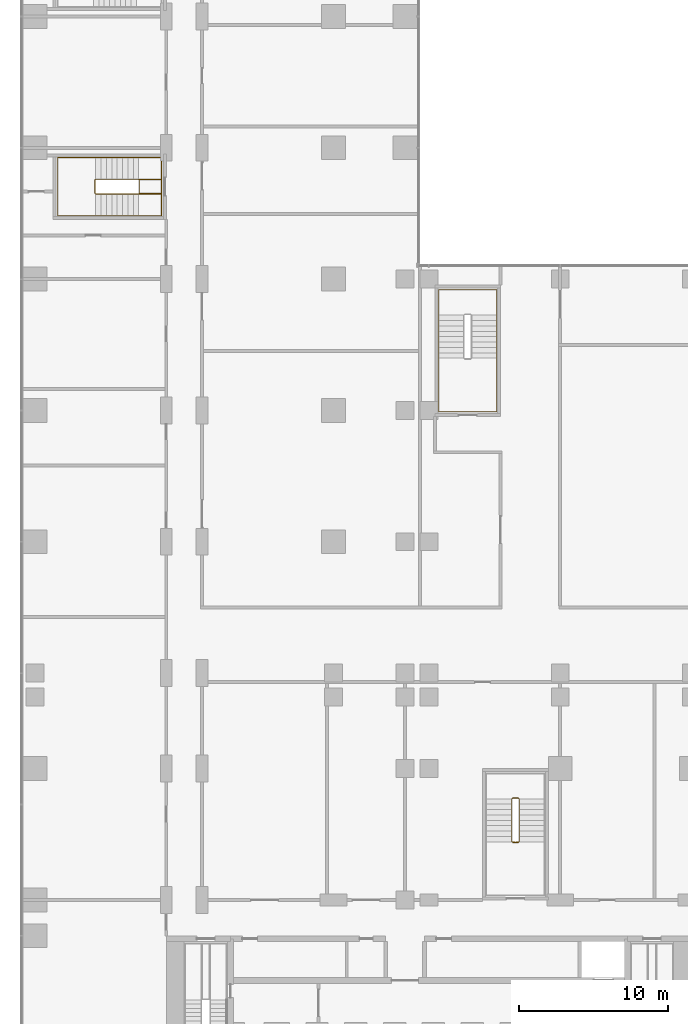
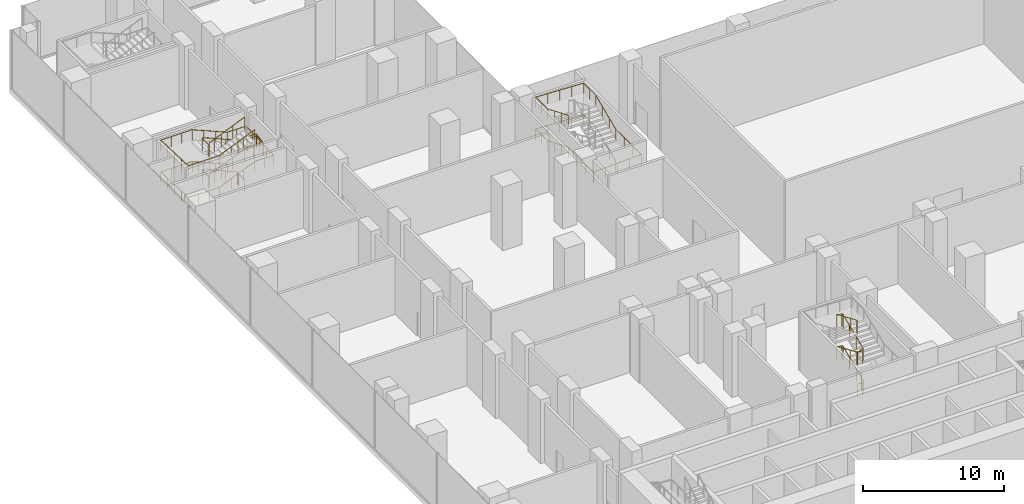
# One storey, part 27 of 30: 4 railings.
"""IFC4 building model written with IfcOpenShell, lengths in metres."""

from ifc_helpers import new_model, si_unit, direction, frame, origin, origin_2d, place, context, subcontext, project, spatial, circle, extrude, material, type_object, element, save


model = new_model("IFC4")

# Units and contexts
model_context = context("Model", 3, precision=1e-05, world=origin(), true_north=direction((0.0, 1.0)))
body_context = subcontext(model_context, "Body", "Model", "MODEL_VIEW")
ifc_project = project(units=[si_unit("LENGTHUNIT", "METRE"), si_unit("AREAUNIT", "SQUARE_METRE"), si_unit("VOLUMEUNIT", "CUBIC_METRE"), si_unit("PLANEANGLEUNIT", "RADIAN"), si_unit("MASSUNIT", "GRAM", prefix="KILO")], contexts=[model_context])

# Site, building, storey
site_placement = place(None, origin())
site = spatial("IfcSite", under=ifc_project, at=site_placement, CompositionType="ELEMENT")
building_placement = place(site_placement, origin())
building = spatial("IfcBuilding", under=site, at=building_placement, Name="Kemantara Hotel Tower", CompositionType="ELEMENT")
storey_placement = place(building_placement, frame((0.0, 0.0, 18.0)))
storey = spatial("IfcBuildingStorey", under=building, at=storey_placement, Name="L03", CompositionType="ELEMENT", Elevation=18.0)

# Railings
ifc_material = material(Name="Stainless steel balustrade", Category="steel")
railing_type_1 = type_object("IfcRailingType", Name="Stair guard 1100 mm", PredefinedType="GUARDRAIL", material=ifc_material)
railing_1_placement = place(storey_placement, frame((7.949951171875, 59.5, 5.5)))
element("IfcRailing", 1, at=railing_1_placement, inside=storey, type_object=railing_type_1, Name="L03 ST4 stair guard 1", PredefinedType="GUARDRAIL", context=body_context, shape_type="SweptSolid", body=[
    extrude(circle(Radius=0.02392578125, at=origin_2d()), frame((0.0, 0.0, 1.076171875), z_axis=(-0.920535863683, 0.0, -0.390658064903), x_axis=(0.0, -1.0, 0.0)), (0.0, 0.0, 1.0), 3.12841796875),
    extrude(circle(Radius=0.02392578125, at=origin_2d()), frame((-2.8798828125, 0.0, -0.14599609375), z_axis=(-0.297155754911, 0.297155754911, -0.90741220768), x_axis=(-0.707106781187, -0.707106781187, 0.0)), (0.0, 0.0, 1.0), 0.16845703125),
    extrude(circle(Radius=0.02392578125, at=origin_2d()), frame((-2.929931640625, 0.050048828125, -0.298828125), z_axis=(0.0, 1.0, 0.0), x_axis=(-1.0, 0.0, 0.0)), (0.0, 0.0, 1.0), 0.89990234375),
    extrude(circle(Radius=0.02392578125, at=origin_2d()), frame((-2.929931640625, 0.949951171875, -0.298828125), z_axis=(0.707106781187, 0.707106781187, 0.0), x_axis=(-0.707106781187, 0.707106781187, 0.0)), (0.0, 0.0, 1.0), 0.07080078125),
    extrude(circle(Radius=0.02392578125, at=origin_2d()), frame((-2.8798828125, 1.0, -0.298828125), z_axis=(0.920535863683, 0.0, -0.390658064903), x_axis=(0.0, 1.0, 0.0)), (0.0, 0.0, 1.0), 3.12841796875),
    extrude(circle(Radius=0.02392578125, at=origin_2d()), frame((0.0, 1.0, -1.52099609375), z_axis=(1.0, 0.0, 0.0), x_axis=(0.0, 1.0, 0.0)), (0.0, 0.0, 1.0), 1.530029296875),
    extrude(circle(Radius=0.02392578125, at=origin_2d()), frame((1.530029296875, 1.0, -1.52099609375), z_axis=(0.0, -0.98730409242, -0.158841521936), x_axis=(1.0, 0.0, 0.0)), (0.0, 0.0, 1.0), 0.962158203125),
    extrude(circle(Radius=0.02392578125, at=origin_2d()), frame((1.530029296875, 0.050048828125, -1.673828125), z_axis=(-1.0, 0.0, 0.0), x_axis=(0.0, -1.0, 0.0)), (0.0, 0.0, 1.0), 1.47998046875),
    extrude(circle(Radius=0.02392578125, at=origin_2d()), frame((0.050048828125, 0.050048828125, -1.673828125), z_axis=(0.0, 1.0, 0.0), x_axis=(-1.0, 0.0, 0.0)), (0.0, 0.0, 1.0), 0.89990234375),
    extrude(circle(Radius=0.02392578125, at=origin_2d()), frame((0.050048828125, 0.949951171875, -1.673828125), z_axis=(1.0, 0.0, 0.0), x_axis=(0.0, 1.0, 0.0)), (0.0, 0.0, 1.0), 1.47998046875),
    extrude(circle(Radius=0.02392578125, at=origin_2d()), frame((1.530029296875, 0.949951171875, -1.673828125), z_axis=(0.0, -1.0, 0.0), x_axis=(1.0, 0.0, 0.0)), (0.0, 0.0, 1.0), 0.949951171875),
    extrude(circle(Radius=0.02392578125, at=origin_2d()), frame((1.530029296875, 0.0, -1.673828125), z_axis=(-1.0, 0.0, 0.0), x_axis=(0.0, -1.0, 0.0)), (0.0, 0.0, 1.0), 1.530029296875),
    extrude(circle(Radius=0.02392578125, at=origin_2d()), frame((0.0, 0.0, -1.673828125), z_axis=(-0.920535863683, 0.0, -0.390658064903), x_axis=(0.0, -1.0, 0.0)), (0.0, 0.0, 1.0), 3.12841796875),
    extrude(circle(Radius=0.02392578125, at=origin_2d()), frame((-2.8798828125, 0.0, -2.89599609375), z_axis=(-0.297155754911, 0.297155754911, -0.90741220768), x_axis=(-0.707106781187, -0.707106781187, 0.0)), (0.0, 0.0, 1.0), 0.16845703125),
    extrude(circle(Radius=0.02392578125, at=origin_2d()), frame((-2.929931640625, 0.050048828125, -3.048828125), z_axis=(0.0, 1.0, 0.0), x_axis=(-1.0, 0.0, 0.0)), (0.0, 0.0, 1.0), 0.89990234375),
    extrude(circle(Radius=0.02392578125, at=origin_2d()), frame((-2.929931640625, 0.949951171875, -3.048828125), z_axis=(0.707106781187, 0.707106781187, 0.0), x_axis=(-0.707106781187, 0.707106781187, 0.0)), (0.0, 0.0, 1.0), 0.07080078125),
    extrude(circle(Radius=0.02392578125, at=origin_2d()), frame((-2.8798828125, 1.0, -3.048828125), z_axis=(0.920535863683, 0.0, -0.390658064903), x_axis=(0.0, 1.0, 0.0)), (0.0, 0.0, 1.0), 3.12841796875),
    extrude(circle(Radius=0.02392578125, at=origin_2d()), frame((0.0, 1.0, -4.27099609375), z_axis=(0.297155754911, -0.297155754911, -0.90741220768), x_axis=(0.707106781187, 0.707106781187, 0.0)), (0.0, 0.0, 1.0), 0.16845703125),
    extrude(circle(Radius=0.02392578125, at=origin_2d()), frame((0.050048828125, 0.949951171875, -4.423828125), z_axis=(0.0, -1.0, 0.0), x_axis=(1.0, 0.0, 0.0)), (0.0, 0.0, 1.0), 0.89990234375),
    extrude(circle(Radius=0.02099609375, at=origin_2d()), origin(), (0.0, 0.0, 1.0), 1.052001953125),
    extrude(circle(Radius=0.02099609375, at=origin_2d()), frame((-0.9599609375, 0.0, -0.407470703125)), (0.0, 0.0, 1.0), 1.052001953125),
    extrude(circle(Radius=0.02099609375, at=origin_2d()), frame((-1.919921875, 0.0, -0.814697265625)), (0.0, 0.0, 1.0), 1.052001953125),
    extrude(circle(Radius=0.02099609375, at=origin_2d()), frame((-2.8798828125, 0.0, -1.22216796875)), (0.0, 0.0, 1.0), 1.052001953125),
    extrude(circle(Radius=0.02099609375, at=origin_2d()), frame((-2.929931640625, 0.050048828125, -1.375)), (0.0, 0.0, 1.0), 1.052001953125),
    extrude(circle(Radius=0.02099609375, at=origin_2d()), frame((-2.929931640625, 0.949951171875, -1.375)), (0.0, 0.0, 1.0), 1.052001953125),
    extrude(circle(Radius=0.02099609375, at=origin_2d()), frame((-2.8798828125, 1.0, -1.375)), (0.0, 0.0, 1.0), 1.052001953125),
    extrude(circle(Radius=0.02099609375, at=origin_2d()), frame((-1.919921875, 1.0, -1.782470703125)), (0.0, 0.0, 1.0), 1.052001953125),
    extrude(circle(Radius=0.02099609375, at=origin_2d()), frame((-0.9599609375, 1.0, -2.189697265625)), (0.0, 0.0, 1.0), 1.052001953125),
    extrude(circle(Radius=0.02099609375, at=origin_2d()), frame((0.0, 1.0, -2.59716796875)), (0.0, 0.0, 1.0), 1.052001953125),
    extrude(circle(Radius=0.02099609375, at=origin_2d()), frame((0.76513671875, 1.0, -2.59716796875)), (0.0, 0.0, 1.0), 1.052001953125),
    extrude(circle(Radius=0.02099609375, at=origin_2d()), frame((1.530029296875, 1.0, -2.59716796875)), (0.0, 0.0, 1.0), 1.052001953125),
    extrude(circle(Radius=0.02099609375, at=origin_2d()), frame((1.530029296875, 0.050048828125, -2.75)), (0.0, 0.0, 1.0), 1.052001953125),
    extrude(circle(Radius=0.02099609375, at=origin_2d()), frame((0.7900390625, 0.050048828125, -2.75)), (0.0, 0.0, 1.0), 1.052001953125),
    extrude(circle(Radius=0.02099609375, at=origin_2d()), frame((0.050048828125, 0.050048828125, -2.75)), (0.0, 0.0, 1.0), 1.052001953125),
    extrude(circle(Radius=0.02099609375, at=origin_2d()), frame((0.050048828125, 0.949951171875, -2.75)), (0.0, 0.0, 1.0), 1.052001953125),
    extrude(circle(Radius=0.02099609375, at=origin_2d()), frame((0.7900390625, 0.949951171875, -2.75)), (0.0, 0.0, 1.0), 1.052001953125),
    extrude(circle(Radius=0.02099609375, at=origin_2d()), frame((1.530029296875, 0.949951171875, -2.75)), (0.0, 0.0, 1.0), 1.052001953125),
    extrude(circle(Radius=0.02099609375, at=origin_2d()), frame((1.530029296875, 0.0, -2.75)), (0.0, 0.0, 1.0), 1.052001953125),
    extrude(circle(Radius=0.02099609375, at=origin_2d()), frame((0.76513671875, 0.0, -2.75)), (0.0, 0.0, 1.0), 1.052001953125),
    extrude(circle(Radius=0.02099609375, at=origin_2d()), frame((0.0, 0.0, -2.75)), (0.0, 0.0, 1.0), 1.052001953125),
    extrude(circle(Radius=0.02099609375, at=origin_2d()), frame((-0.9599609375, 0.0, -3.157470703125)), (0.0, 0.0, 1.0), 1.052001953125),
    extrude(circle(Radius=0.02099609375, at=origin_2d()), frame((-1.919921875, 0.0, -3.564697265625)), (0.0, 0.0, 1.0), 1.052001953125),
    extrude(circle(Radius=0.02099609375, at=origin_2d()), frame((-2.8798828125, 0.0, -3.97216796875)), (0.0, 0.0, 1.0), 1.052001953125),
    extrude(circle(Radius=0.02099609375, at=origin_2d()), frame((-2.929931640625, 0.050048828125, -4.125)), (0.0, 0.0, 1.0), 1.052001953125),
    extrude(circle(Radius=0.02099609375, at=origin_2d()), frame((-2.929931640625, 0.949951171875, -4.125)), (0.0, 0.0, 1.0), 1.052001953125),
    extrude(circle(Radius=0.02099609375, at=origin_2d()), frame((-2.8798828125, 1.0, -4.125)), (0.0, 0.0, 1.0), 1.052001953125),
    extrude(circle(Radius=0.02099609375, at=origin_2d()), frame((-1.919921875, 1.0, -4.532470703125)), (0.0, 0.0, 1.0), 1.052001953125),
    extrude(circle(Radius=0.02099609375, at=origin_2d()), frame((-0.9599609375, 1.0, -4.939697265625)), (0.0, 0.0, 1.0), 1.052001953125),
    extrude(circle(Radius=0.02099609375, at=origin_2d()), frame((0.0, 1.0, -5.34716796875)), (0.0, 0.0, 1.0), 1.052001953125),
    extrude(circle(Radius=0.02099609375, at=origin_2d()), frame((0.050048828125, 0.949951171875, -5.5)), (0.0, 0.0, 1.0), 1.052001953125),
    extrude(circle(Radius=0.02099609375, at=origin_2d()), frame((0.050048828125, 0.050048828125, -5.5)), (0.0, 0.0, 1.0), 1.052001953125),
])
railing_2_placement = place(storey_placement, frame((32.949951171875, 16.10009765625, 5.5)))
element("IfcRailing", 2, at=railing_2_placement, inside=storey, type_object=railing_type_1, Name="L03 PS3 stair guard 1", PredefinedType="GUARDRAIL", context=body_context, shape_type="SweptSolid", body=[
    extrude(circle(Radius=0.02392578125, at=origin_2d()), frame((0.0, 0.0, 1.076171875), z_axis=(0.0, 0.920535863683, -0.390658064903), x_axis=(-1.0, 0.0, 0.0)), (0.0, 0.0, 1.0), 3.12841796875),
    extrude(circle(Radius=0.02392578125, at=origin_2d()), frame((0.0, 2.8798828125, -0.14599609375), z_axis=(0.297155754911, 0.297155754911, -0.90741220768), x_axis=(-0.707106781187, 0.707106781187, 0.0)), (0.0, 0.0, 1.0), 0.16845703125),
    extrude(circle(Radius=0.02392578125, at=origin_2d()), frame((0.050048828125, 2.929931640625, -0.298828125), z_axis=(1.0, 0.0, 0.0), x_axis=(0.0, 1.0, 0.0)), (0.0, 0.0, 1.0), 0.39990234375),
    extrude(circle(Radius=0.02392578125, at=origin_2d()), frame((0.449951171875, 2.929931640625, -0.298828125), z_axis=(0.707106781187, -0.707106781187, 0.0), x_axis=(0.707106781187, 0.707106781187, 0.0)), (0.0, 0.0, 1.0), 0.07080078125),
    extrude(circle(Radius=0.02392578125, at=origin_2d()), frame((0.5, 2.8798828125, -0.298828125), z_axis=(0.0, -0.920535863683, -0.390658064903), x_axis=(1.0, 0.0, 0.0)), (0.0, 0.0, 1.0), 3.12841796875),
    extrude(circle(Radius=0.02392578125, at=origin_2d()), frame((0.5, 0.0, -1.52099609375), z_axis=(-0.941661397821, -0.104742586301, -0.319848092803), x_axis=(0.110549901152, -0.993870574751, 0.0)), (0.0, 0.0, 1.0), 0.477783203125),
    extrude(circle(Radius=0.02392578125, at=origin_2d()), frame((0.050048828125, -0.050048828125, -1.673828125), z_axis=(1.0, 0.0, 0.0), x_axis=(0.0, 1.0, 0.0)), (0.0, 0.0, 1.0), 0.39990234375),
    extrude(circle(Radius=0.02392578125, at=origin_2d()), frame((0.449951171875, -0.050048828125, -1.673828125), z_axis=(-0.993870574751, 0.110549901152, 0.0), x_axis=(-0.110549901152, -0.993870574751, 0.0)), (0.0, 0.0, 1.0), 0.45263671875),
    extrude(circle(Radius=0.02392578125, at=origin_2d()), frame((0.0, 0.0, -1.673828125), z_axis=(0.0, 0.920535863683, -0.390658064903), x_axis=(-1.0, 0.0, 0.0)), (0.0, 0.0, 1.0), 3.12841796875),
    extrude(circle(Radius=0.02392578125, at=origin_2d()), frame((0.0, 2.8798828125, -2.89599609375), z_axis=(0.297155754911, 0.297155754911, -0.90741220768), x_axis=(-0.707106781187, 0.707106781187, 0.0)), (0.0, 0.0, 1.0), 0.16845703125),
    extrude(circle(Radius=0.02392578125, at=origin_2d()), frame((0.050048828125, 2.929931640625, -3.048828125), z_axis=(1.0, 0.0, 0.0), x_axis=(0.0, 1.0, 0.0)), (0.0, 0.0, 1.0), 0.39990234375),
    extrude(circle(Radius=0.02392578125, at=origin_2d()), frame((0.449951171875, 2.929931640625, -3.048828125), z_axis=(0.707106781187, -0.707106781187, 0.0), x_axis=(0.707106781187, 0.707106781187, 0.0)), (0.0, 0.0, 1.0), 0.07080078125),
    extrude(circle(Radius=0.02392578125, at=origin_2d()), frame((0.5, 2.8798828125, -3.048828125), z_axis=(0.0, -0.920535863683, -0.390658064903), x_axis=(1.0, 0.0, 0.0)), (0.0, 0.0, 1.0), 3.12841796875),
    extrude(circle(Radius=0.02392578125, at=origin_2d()), frame((0.5, 0.0, -4.27099609375), z_axis=(-0.297155754911, -0.297155754911, -0.90741220768), x_axis=(0.707106781187, -0.707106781187, 0.0)), (0.0, 0.0, 1.0), 0.16845703125),
    extrude(circle(Radius=0.02392578125, at=origin_2d()), frame((0.449951171875, -0.050048828125, -4.423828125), z_axis=(-1.0, 0.0, 0.0), x_axis=(0.0, -1.0, 0.0)), (0.0, 0.0, 1.0), 0.39990234375),
    extrude(circle(Radius=0.02099609375, at=origin_2d()), origin(), (0.0, 0.0, 1.0), 1.052001953125),
    extrude(circle(Radius=0.02099609375, at=origin_2d()), frame((0.0, 0.9599609375, -0.407470703125)), (0.0, 0.0, 1.0), 1.052001953125),
    extrude(circle(Radius=0.02099609375, at=origin_2d()), frame((0.0, 1.919921875, -0.814697265625)), (0.0, 0.0, 1.0), 1.052001953125),
    extrude(circle(Radius=0.02099609375, at=origin_2d()), frame((0.0, 2.8798828125, -1.22216796875)), (0.0, 0.0, 1.0), 1.052001953125),
    extrude(circle(Radius=0.02099609375, at=origin_2d()), frame((0.050048828125, 2.929931640625, -1.375)), (0.0, 0.0, 1.0), 1.052001953125),
    extrude(circle(Radius=0.02099609375, at=origin_2d()), frame((0.449951171875, 2.929931640625, -1.375)), (0.0, 0.0, 1.0), 1.052001953125),
    extrude(circle(Radius=0.02099609375, at=origin_2d()), frame((0.5, 2.8798828125, -1.375)), (0.0, 0.0, 1.0), 1.052001953125),
    extrude(circle(Radius=0.02099609375, at=origin_2d()), frame((0.5, 1.919921875, -1.782470703125)), (0.0, 0.0, 1.0), 1.052001953125),
    extrude(circle(Radius=0.02099609375, at=origin_2d()), frame((0.5, 0.9599609375, -2.189697265625)), (0.0, 0.0, 1.0), 1.052001953125),
    extrude(circle(Radius=0.02099609375, at=origin_2d()), frame((0.5, 0.0, -2.59716796875)), (0.0, 0.0, 1.0), 1.052001953125),
    extrude(circle(Radius=0.02099609375, at=origin_2d()), frame((0.050048828125, -0.050048828125, -2.75)), (0.0, 0.0, 1.0), 1.052001953125),
    extrude(circle(Radius=0.02099609375, at=origin_2d()), frame((0.449951171875, -0.050048828125, -2.75)), (0.0, 0.0, 1.0), 1.052001953125),
    extrude(circle(Radius=0.02099609375, at=origin_2d()), frame((0.0, 0.0, -2.75)), (0.0, 0.0, 1.0), 1.052001953125),
    extrude(circle(Radius=0.02099609375, at=origin_2d()), frame((0.0, 0.9599609375, -3.157470703125)), (0.0, 0.0, 1.0), 1.052001953125),
    extrude(circle(Radius=0.02099609375, at=origin_2d()), frame((0.0, 1.919921875, -3.564697265625)), (0.0, 0.0, 1.0), 1.052001953125),
    extrude(circle(Radius=0.02099609375, at=origin_2d()), frame((0.0, 2.8798828125, -3.97216796875)), (0.0, 0.0, 1.0), 1.052001953125),
    extrude(circle(Radius=0.02099609375, at=origin_2d()), frame((0.050048828125, 2.929931640625, -4.125)), (0.0, 0.0, 1.0), 1.052001953125),
    extrude(circle(Radius=0.02099609375, at=origin_2d()), frame((0.449951171875, 2.929931640625, -4.125)), (0.0, 0.0, 1.0), 1.052001953125),
    extrude(circle(Radius=0.02099609375, at=origin_2d()), frame((0.5, 2.8798828125, -4.125)), (0.0, 0.0, 1.0), 1.052001953125),
    extrude(circle(Radius=0.02099609375, at=origin_2d()), frame((0.5, 1.919921875, -4.532470703125)), (0.0, 0.0, 1.0), 1.052001953125),
    extrude(circle(Radius=0.02099609375, at=origin_2d()), frame((0.5, 0.9599609375, -4.939697265625)), (0.0, 0.0, 1.0), 1.052001953125),
    extrude(circle(Radius=0.02099609375, at=origin_2d()), frame((0.5, 0.0, -5.34716796875)), (0.0, 0.0, 1.0), 1.052001953125),
    extrude(circle(Radius=0.02099609375, at=origin_2d()), frame((0.449951171875, -0.050048828125, -5.5)), (0.0, 0.0, 1.0), 1.052001953125),
    extrude(circle(Radius=0.02099609375, at=origin_2d()), frame((0.050048828125, -0.050048828125, -5.5)), (0.0, 0.0, 1.0), 1.052001953125),
])
railing_type_2 = type_object("IfcRailingType", Name="Stair handrail 900 mm", PredefinedType="HANDRAIL", material=ifc_material)
railing_3_placement = place(storey_placement, frame((7.949951171875, 61.949951171875, 0.15283203125)))
element("IfcRailing", 3, at=railing_3_placement, inside=storey, type_object=railing_type_2, Name="L03 ST4 stair handrail 1", PredefinedType="HANDRAIL", context=body_context, shape_type="SweptSolid", body=[
    extrude(circle(Radius=0.02392578125, at=origin_2d()), frame((0.0, 0.0, 0.8759765625), z_axis=(-0.920535863683, 0.0, 0.390658064903), x_axis=(0.0, -1.0, 0.0)), (0.0, 0.0, 1.0), 3.12841796875),
    extrude(circle(Radius=0.02392578125, at=origin_2d()), frame((-2.8798828125, 0.0, 2.09814453125), z_axis=(-1.0, 0.0, 0.0), x_axis=(0.0, -1.0, 0.0)), (0.0, 0.0, 1.0), 2.550048828125),
    extrude(circle(Radius=0.02392578125, at=origin_2d()), frame((-5.429931640625, 0.0, 2.09814453125), z_axis=(0.0, -0.999233006938, 0.039158624161), x_axis=(1.0, 0.0, 0.0)), (0.0, 0.0, 1.0), 3.90283203125),
    extrude(circle(Radius=0.02392578125, at=origin_2d()), frame((-5.429931640625, -3.89990234375, 2.2509765625), z_axis=(1.0, 0.0, 0.0), x_axis=(0.0, 1.0, 0.0)), (0.0, 0.0, 1.0), 2.550048828125),
    extrude(circle(Radius=0.02392578125, at=origin_2d()), frame((-2.8798828125, -3.89990234375, 2.2509765625), z_axis=(0.920535863683, 0.0, 0.390658064903), x_axis=(0.0, 1.0, 0.0)), (0.0, 0.0, 1.0), 3.12841796875),
    extrude(circle(Radius=0.02392578125, at=origin_2d()), frame((0.0, -3.89990234375, 3.47314453125), z_axis=(1.0, 0.0, 0.0), x_axis=(0.0, 1.0, 0.0)), (0.0, 0.0, 1.0), 1.530029296875),
    extrude(circle(Radius=0.02392578125, at=origin_2d()), frame((1.530029296875, -3.89990234375, 3.47314453125), z_axis=(0.0, 0.999233006938, 0.039158624161), x_axis=(-1.0, 0.0, 0.0)), (0.0, 0.0, 1.0), 3.90283203125),
    extrude(circle(Radius=0.02392578125, at=origin_2d()), frame((1.530029296875, 0.0, 3.6259765625), z_axis=(-1.0, 0.0, 0.0), x_axis=(0.0, -1.0, 0.0)), (0.0, 0.0, 1.0), 1.530029296875),
    extrude(circle(Radius=0.02392578125, at=origin_2d()), frame((0.0, 0.0, 3.6259765625), z_axis=(-0.920535863683, 0.0, 0.390658064903), x_axis=(0.0, -1.0, 0.0)), (0.0, 0.0, 1.0), 3.12841796875),
    extrude(circle(Radius=0.02392578125, at=origin_2d()), frame((-2.8798828125, 0.0, 4.84814453125), z_axis=(-1.0, 0.0, 0.0), x_axis=(0.0, -1.0, 0.0)), (0.0, 0.0, 1.0), 2.550048828125),
    extrude(circle(Radius=0.02392578125, at=origin_2d()), frame((-5.429931640625, 0.0, 4.84814453125), z_axis=(0.0, -0.999233006938, 0.039158624161), x_axis=(1.0, 0.0, 0.0)), (0.0, 0.0, 1.0), 3.90283203125),
    extrude(circle(Radius=0.02392578125, at=origin_2d()), frame((-5.429931640625, -3.89990234375, 5.0009765625), z_axis=(1.0, 0.0, 0.0), x_axis=(0.0, 1.0, 0.0)), (0.0, 0.0, 1.0), 2.550048828125),
    extrude(circle(Radius=0.02392578125, at=origin_2d()), frame((-2.8798828125, -3.89990234375, 5.0009765625), z_axis=(0.920535863683, 0.0, 0.390658064903), x_axis=(0.0, 1.0, 0.0)), (0.0, 0.0, 1.0), 3.12841796875),
    extrude(circle(Radius=0.02099609375, at=origin_2d()), origin(), (0.0, 0.0, 1.0), 0.851806640625),
    extrude(circle(Radius=0.02099609375, at=origin_2d()), frame((-0.9599609375, 0.0, 0.407470703125)), (0.0, 0.0, 1.0), 0.851806640625),
    extrude(circle(Radius=0.02099609375, at=origin_2d()), frame((-1.919921875, 0.0, 0.814697265625)), (0.0, 0.0, 1.0), 0.851806640625),
    extrude(circle(Radius=0.02099609375, at=origin_2d()), frame((-2.8798828125, 0.0, 1.22216796875)), (0.0, 0.0, 1.0), 0.851806640625),
    extrude(circle(Radius=0.02099609375, at=origin_2d()), frame((-3.72998046875, 0.0, 1.22216796875)), (0.0, 0.0, 1.0), 0.851806640625),
    extrude(circle(Radius=0.02099609375, at=origin_2d()), frame((-4.579833984375, 0.0, 1.22216796875)), (0.0, 0.0, 1.0), 0.851806640625),
    extrude(circle(Radius=0.02099609375, at=origin_2d()), frame((-5.429931640625, 0.0, 1.22216796875)), (0.0, 0.0, 1.0), 0.851806640625),
    extrude(circle(Radius=0.02099609375, at=origin_2d()), frame((-5.429931640625, -0.97509765625, 1.26025390625)), (0.0, 0.0, 1.0), 0.851806640625),
    extrude(circle(Radius=0.02099609375, at=origin_2d()), frame((-5.429931640625, -1.949951171875, 1.298583984375)), (0.0, 0.0, 1.0), 0.851806640625),
    extrude(circle(Radius=0.02099609375, at=origin_2d()), frame((-5.429931640625, -2.9248046875, 1.3369140625)), (0.0, 0.0, 1.0), 0.851806640625),
    extrude(circle(Radius=0.02099609375, at=origin_2d()), frame((-5.429931640625, -3.89990234375, 1.375)), (0.0, 0.0, 1.0), 0.851806640625),
    extrude(circle(Radius=0.02099609375, at=origin_2d()), frame((-4.579833984375, -3.89990234375, 1.375)), (0.0, 0.0, 1.0), 0.851806640625),
    extrude(circle(Radius=0.02099609375, at=origin_2d()), frame((-3.72998046875, -3.89990234375, 1.375)), (0.0, 0.0, 1.0), 0.851806640625),
    extrude(circle(Radius=0.02099609375, at=origin_2d()), frame((-2.8798828125, -3.89990234375, 1.375)), (0.0, 0.0, 1.0), 0.851806640625),
    extrude(circle(Radius=0.02099609375, at=origin_2d()), frame((-1.919921875, -3.89990234375, 1.782470703125)), (0.0, 0.0, 1.0), 0.851806640625),
    extrude(circle(Radius=0.02099609375, at=origin_2d()), frame((-0.9599609375, -3.89990234375, 2.189697265625)), (0.0, 0.0, 1.0), 0.851806640625),
    extrude(circle(Radius=0.02099609375, at=origin_2d()), frame((0.0, -3.89990234375, 2.59716796875)), (0.0, 0.0, 1.0), 0.851806640625),
    extrude(circle(Radius=0.02099609375, at=origin_2d()), frame((0.76513671875, -3.89990234375, 2.59716796875)), (0.0, 0.0, 1.0), 0.851806640625),
    extrude(circle(Radius=0.02099609375, at=origin_2d()), frame((1.530029296875, -3.89990234375, 2.59716796875)), (0.0, 0.0, 1.0), 0.851806640625),
    extrude(circle(Radius=0.02099609375, at=origin_2d()), frame((1.530029296875, -2.9248046875, 2.63525390625)), (0.0, 0.0, 1.0), 0.851806640625),
    extrude(circle(Radius=0.02099609375, at=origin_2d()), frame((1.530029296875, -1.949951171875, 2.673583984375)), (0.0, 0.0, 1.0), 0.851806640625),
    extrude(circle(Radius=0.02099609375, at=origin_2d()), frame((1.530029296875, -0.97509765625, 2.7119140625)), (0.0, 0.0, 1.0), 0.851806640625),
    extrude(circle(Radius=0.02099609375, at=origin_2d()), frame((1.530029296875, 0.0, 2.75)), (0.0, 0.0, 1.0), 0.851806640625),
    extrude(circle(Radius=0.02099609375, at=origin_2d()), frame((0.76513671875, 0.0, 2.75)), (0.0, 0.0, 1.0), 0.851806640625),
    extrude(circle(Radius=0.02099609375, at=origin_2d()), frame((0.0, 0.0, 2.75)), (0.0, 0.0, 1.0), 0.851806640625),
    extrude(circle(Radius=0.02099609375, at=origin_2d()), frame((-0.9599609375, 0.0, 3.157470703125)), (0.0, 0.0, 1.0), 0.851806640625),
    extrude(circle(Radius=0.02099609375, at=origin_2d()), frame((-1.919921875, 0.0, 3.564697265625)), (0.0, 0.0, 1.0), 0.851806640625),
    extrude(circle(Radius=0.02099609375, at=origin_2d()), frame((-2.8798828125, 0.0, 3.97216796875)), (0.0, 0.0, 1.0), 0.851806640625),
    extrude(circle(Radius=0.02099609375, at=origin_2d()), frame((-3.72998046875, 0.0, 3.97216796875)), (0.0, 0.0, 1.0), 0.851806640625),
    extrude(circle(Radius=0.02099609375, at=origin_2d()), frame((-4.579833984375, 0.0, 3.97216796875)), (0.0, 0.0, 1.0), 0.851806640625),
    extrude(circle(Radius=0.02099609375, at=origin_2d()), frame((-5.429931640625, 0.0, 3.97216796875)), (0.0, 0.0, 1.0), 0.851806640625),
    extrude(circle(Radius=0.02099609375, at=origin_2d()), frame((-5.429931640625, -0.97509765625, 4.01025390625)), (0.0, 0.0, 1.0), 0.851806640625),
    extrude(circle(Radius=0.02099609375, at=origin_2d()), frame((-5.429931640625, -1.949951171875, 4.048583984375)), (0.0, 0.0, 1.0), 0.851806640625),
    extrude(circle(Radius=0.02099609375, at=origin_2d()), frame((-5.429931640625, -2.9248046875, 4.0869140625)), (0.0, 0.0, 1.0), 0.851806640625),
    extrude(circle(Radius=0.02099609375, at=origin_2d()), frame((-5.429931640625, -3.89990234375, 4.125)), (0.0, 0.0, 1.0), 0.851806640625),
    extrude(circle(Radius=0.02099609375, at=origin_2d()), frame((-4.579833984375, -3.89990234375, 4.125)), (0.0, 0.0, 1.0), 0.851806640625),
    extrude(circle(Radius=0.02099609375, at=origin_2d()), frame((-3.72998046875, -3.89990234375, 4.125)), (0.0, 0.0, 1.0), 0.851806640625),
    extrude(circle(Radius=0.02099609375, at=origin_2d()), frame((-2.8798828125, -3.89990234375, 4.125)), (0.0, 0.0, 1.0), 0.851806640625),
    extrude(circle(Radius=0.02099609375, at=origin_2d()), frame((-1.919921875, -3.89990234375, 4.532470703125)), (0.0, 0.0, 1.0), 0.851806640625),
    extrude(circle(Radius=0.02099609375, at=origin_2d()), frame((-0.9599609375, -3.89990234375, 4.939697265625)), (0.0, 0.0, 1.0), 0.851806640625),
    extrude(circle(Radius=0.02099609375, at=origin_2d()), frame((0.0, -3.89990234375, 5.34716796875)), (0.0, 0.0, 1.0), 0.851806640625),
])
railing_4_placement = place(storey_placement, frame((31.949951171875, 48.5, 0.15283203125)))
element("IfcRailing", 4, at=railing_4_placement, inside=storey, type_object=railing_type_2, Name="L03 PS2 stair handrail 1", PredefinedType="HANDRAIL", context=body_context, shape_type="SweptSolid", body=[
    extrude(circle(Radius=0.02392578125, at=origin_2d()), frame((0.0, 0.0, 0.8759765625), z_axis=(0.0, 0.920535863683, 0.390658064903), x_axis=(-1.0, 0.0, 0.0)), (0.0, 0.0, 1.0), 3.12841796875),
    extrude(circle(Radius=0.02392578125, at=origin_2d()), frame((0.0, 2.8798828125, 2.09814453125), z_axis=(0.0, 1.0, 0.0), x_axis=(-1.0, 0.0, 0.0)), (0.0, 0.0, 1.0), 1.7001953125),
    extrude(circle(Radius=0.02392578125, at=origin_2d()), frame((0.0, 4.580078125, 2.09814453125), z_axis=(-0.999233006938, 0.0, 0.039158624161), x_axis=(0.0, -1.0, 0.0)), (0.0, 0.0, 1.0), 3.90283203125),
    extrude(circle(Radius=0.02392578125, at=origin_2d()), frame((-3.89990234375, 4.580078125, 2.2509765625), z_axis=(0.0, -1.0, 0.0), x_axis=(1.0, 0.0, 0.0)), (0.0, 0.0, 1.0), 1.7001953125),
    extrude(circle(Radius=0.02392578125, at=origin_2d()), frame((-3.89990234375, 2.8798828125, 2.2509765625), z_axis=(0.0, -0.920535863683, 0.390658064903), x_axis=(1.0, 0.0, 0.0)), (0.0, 0.0, 1.0), 3.12841796875),
    extrude(circle(Radius=0.02392578125, at=origin_2d()), frame((-3.89990234375, 0.0, 3.47314453125), z_axis=(0.0, -1.0, 0.0), x_axis=(1.0, 0.0, 0.0)), (0.0, 0.0, 1.0), 3.580078125),
    extrude(circle(Radius=0.02392578125, at=origin_2d()), frame((-3.89990234375, -3.580078125, 3.47314453125), z_axis=(0.999233006938, 0.0, 0.039158624161), x_axis=(0.0, 1.0, 0.0)), (0.0, 0.0, 1.0), 3.90283203125),
    extrude(circle(Radius=0.02392578125, at=origin_2d()), frame((0.0, -3.580078125, 3.6259765625), z_axis=(0.0, 1.0, 0.0), x_axis=(-1.0, 0.0, 0.0)), (0.0, 0.0, 1.0), 3.580078125),
    extrude(circle(Radius=0.02392578125, at=origin_2d()), frame((0.0, 0.0, 3.6259765625), z_axis=(0.0, 0.920535863683, 0.390658064903), x_axis=(-1.0, 0.0, 0.0)), (0.0, 0.0, 1.0), 3.12841796875),
    extrude(circle(Radius=0.02392578125, at=origin_2d()), frame((0.0, 2.8798828125, 4.84814453125), z_axis=(0.0, 1.0, 0.0), x_axis=(-1.0, 0.0, 0.0)), (0.0, 0.0, 1.0), 1.7001953125),
    extrude(circle(Radius=0.02392578125, at=origin_2d()), frame((0.0, 4.580078125, 4.84814453125), z_axis=(-0.999233006938, 0.0, 0.039158624161), x_axis=(0.0, -1.0, 0.0)), (0.0, 0.0, 1.0), 3.90283203125),
    extrude(circle(Radius=0.02392578125, at=origin_2d()), frame((-3.89990234375, 4.580078125, 5.0009765625), z_axis=(0.0, -1.0, 0.0), x_axis=(1.0, 0.0, 0.0)), (0.0, 0.0, 1.0), 1.7001953125),
    extrude(circle(Radius=0.02392578125, at=origin_2d()), frame((-3.89990234375, 2.8798828125, 5.0009765625), z_axis=(0.0, -0.920535863683, 0.390658064903), x_axis=(1.0, 0.0, 0.0)), (0.0, 0.0, 1.0), 3.12841796875),
    extrude(circle(Radius=0.02099609375, at=origin_2d()), origin(), (0.0, 0.0, 1.0), 0.851806640625),
    extrude(circle(Radius=0.02099609375, at=origin_2d()), frame((0.0, 0.9599609375, 0.407470703125)), (0.0, 0.0, 1.0), 0.851806640625),
    extrude(circle(Radius=0.02099609375, at=origin_2d()), frame((0.0, 1.919921875, 0.814697265625)), (0.0, 0.0, 1.0), 0.851806640625),
    extrude(circle(Radius=0.02099609375, at=origin_2d()), frame((0.0, 2.8798828125, 1.22216796875)), (0.0, 0.0, 1.0), 0.851806640625),
    extrude(circle(Radius=0.02099609375, at=origin_2d()), frame((0.0, 3.72998046875, 1.22216796875)), (0.0, 0.0, 1.0), 0.851806640625),
    extrude(circle(Radius=0.02099609375, at=origin_2d()), frame((0.0, 4.580078125, 1.22216796875)), (0.0, 0.0, 1.0), 0.851806640625),
    extrude(circle(Radius=0.02099609375, at=origin_2d()), frame((-0.97509765625, 4.580078125, 1.26025390625)), (0.0, 0.0, 1.0), 0.851806640625),
    extrude(circle(Radius=0.02099609375, at=origin_2d()), frame((-1.949951171875, 4.580078125, 1.298583984375)), (0.0, 0.0, 1.0), 0.851806640625),
    extrude(circle(Radius=0.02099609375, at=origin_2d()), frame((-2.9248046875, 4.580078125, 1.3369140625)), (0.0, 0.0, 1.0), 0.851806640625),
    extrude(circle(Radius=0.02099609375, at=origin_2d()), frame((-3.89990234375, 4.580078125, 1.375)), (0.0, 0.0, 1.0), 0.851806640625),
    extrude(circle(Radius=0.02099609375, at=origin_2d()), frame((-3.89990234375, 3.72998046875, 1.375)), (0.0, 0.0, 1.0), 0.851806640625),
    extrude(circle(Radius=0.02099609375, at=origin_2d()), frame((-3.89990234375, 2.8798828125, 1.375)), (0.0, 0.0, 1.0), 0.851806640625),
    extrude(circle(Radius=0.02099609375, at=origin_2d()), frame((-3.89990234375, 1.919921875, 1.782470703125)), (0.0, 0.0, 1.0), 0.851806640625),
    extrude(circle(Radius=0.02099609375, at=origin_2d()), frame((-3.89990234375, 0.9599609375, 2.189697265625)), (0.0, 0.0, 1.0), 0.851806640625),
    extrude(circle(Radius=0.02099609375, at=origin_2d()), frame((-3.89990234375, 0.0, 2.59716796875)), (0.0, 0.0, 1.0), 0.851806640625),
    extrude(circle(Radius=0.02099609375, at=origin_2d()), frame((-3.89990234375, -1.193359375, 2.59716796875)), (0.0, 0.0, 1.0), 0.851806640625),
    extrude(circle(Radius=0.02099609375, at=origin_2d()), frame((-3.89990234375, -2.38671875, 2.59716796875)), (0.0, 0.0, 1.0), 0.851806640625),
    extrude(circle(Radius=0.02099609375, at=origin_2d()), frame((-3.89990234375, -3.580078125, 2.59716796875)), (0.0, 0.0, 1.0), 0.851806640625),
    extrude(circle(Radius=0.02099609375, at=origin_2d()), frame((-2.9248046875, -3.580078125, 2.63525390625)), (0.0, 0.0, 1.0), 0.851806640625),
    extrude(circle(Radius=0.02099609375, at=origin_2d()), frame((-1.949951171875, -3.580078125, 2.673583984375)), (0.0, 0.0, 1.0), 0.851806640625),
    extrude(circle(Radius=0.02099609375, at=origin_2d()), frame((-0.97509765625, -3.580078125, 2.7119140625)), (0.0, 0.0, 1.0), 0.851806640625),
    extrude(circle(Radius=0.02099609375, at=origin_2d()), frame((0.0, -3.580078125, 2.75)), (0.0, 0.0, 1.0), 0.851806640625),
    extrude(circle(Radius=0.02099609375, at=origin_2d()), frame((0.0, -2.38671875, 2.75)), (0.0, 0.0, 1.0), 0.851806640625),
    extrude(circle(Radius=0.02099609375, at=origin_2d()), frame((0.0, -1.193359375, 2.75)), (0.0, 0.0, 1.0), 0.851806640625),
    extrude(circle(Radius=0.02099609375, at=origin_2d()), frame((0.0, 0.0, 2.75)), (0.0, 0.0, 1.0), 0.851806640625),
    extrude(circle(Radius=0.02099609375, at=origin_2d()), frame((0.0, 0.9599609375, 3.157470703125)), (0.0, 0.0, 1.0), 0.851806640625),
    extrude(circle(Radius=0.02099609375, at=origin_2d()), frame((0.0, 1.919921875, 3.564697265625)), (0.0, 0.0, 1.0), 0.851806640625),
    extrude(circle(Radius=0.02099609375, at=origin_2d()), frame((0.0, 2.8798828125, 3.97216796875)), (0.0, 0.0, 1.0), 0.851806640625),
    extrude(circle(Radius=0.02099609375, at=origin_2d()), frame((0.0, 3.72998046875, 3.97216796875)), (0.0, 0.0, 1.0), 0.851806640625),
    extrude(circle(Radius=0.02099609375, at=origin_2d()), frame((0.0, 4.580078125, 3.97216796875)), (0.0, 0.0, 1.0), 0.851806640625),
    extrude(circle(Radius=0.02099609375, at=origin_2d()), frame((-0.97509765625, 4.580078125, 4.01025390625)), (0.0, 0.0, 1.0), 0.851806640625),
    extrude(circle(Radius=0.02099609375, at=origin_2d()), frame((-1.949951171875, 4.580078125, 4.048583984375)), (0.0, 0.0, 1.0), 0.851806640625),
    extrude(circle(Radius=0.02099609375, at=origin_2d()), frame((-2.9248046875, 4.580078125, 4.0869140625)), (0.0, 0.0, 1.0), 0.851806640625),
    extrude(circle(Radius=0.02099609375, at=origin_2d()), frame((-3.89990234375, 4.580078125, 4.125)), (0.0, 0.0, 1.0), 0.851806640625),
    extrude(circle(Radius=0.02099609375, at=origin_2d()), frame((-3.89990234375, 3.72998046875, 4.125)), (0.0, 0.0, 1.0), 0.851806640625),
    extrude(circle(Radius=0.02099609375, at=origin_2d()), frame((-3.89990234375, 2.8798828125, 4.125)), (0.0, 0.0, 1.0), 0.851806640625),
    extrude(circle(Radius=0.02099609375, at=origin_2d()), frame((-3.89990234375, 1.919921875, 4.532470703125)), (0.0, 0.0, 1.0), 0.851806640625),
    extrude(circle(Radius=0.02099609375, at=origin_2d()), frame((-3.89990234375, 0.9599609375, 4.939697265625)), (0.0, 0.0, 1.0), 0.851806640625),
    extrude(circle(Radius=0.02099609375, at=origin_2d()), frame((-3.89990234375, 0.0, 5.34716796875)), (0.0, 0.0, 1.0), 0.851806640625),
])

save(model, "model.ifc")
